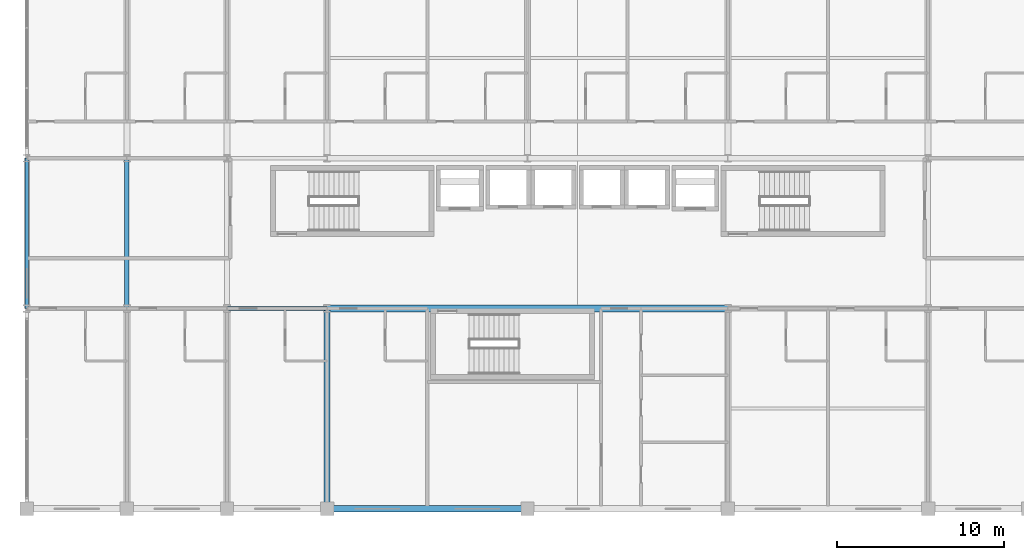
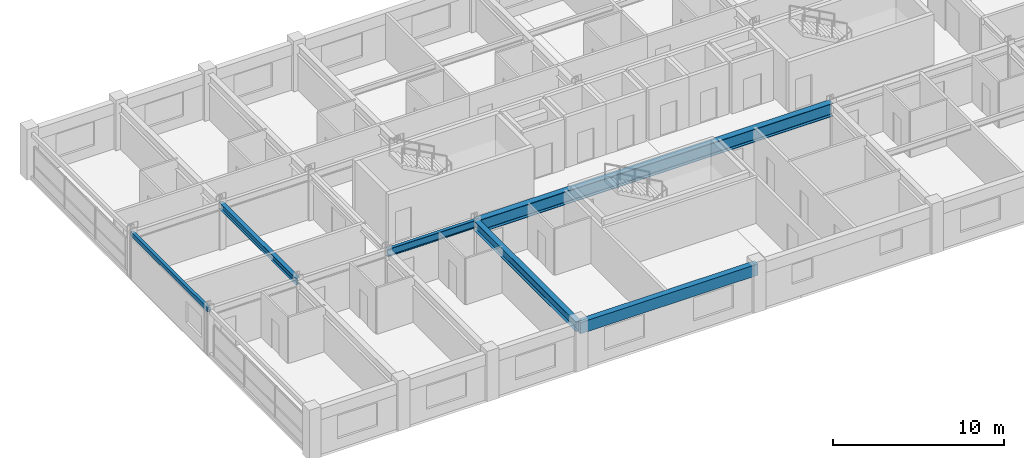
# One storey, part 5 of 26: 6 beams.
"""IFC4 building model written with IfcOpenShell, lengths in metres."""

import ifcopenshell
import ifcopenshell.guid

model = None  # the IFC model being written
_history = None  # IfcOwnerHistory: only IFC2X3 demands one
_inside = {}  # id of a spatial element -> (the spatial element, [elements in it])
_under = {}  # id of a project, library or spatial element -> (it, [spatial elements below it])
_declared = {}  # id of a project -> (the project, [libraries it declares])
_typed = {}  # id of a type object -> (the type object, [elements of that type])
_made_of = {}  # id of a material, layer set ... -> (it, [elements and type objects made of it])


def new_model(schema):
    """Start an empty IFC model of exactly this schema.

    Asked for "IFC4X3", IfcOpenShell would pick the latest addendum, in which some entities
    have other attributes; the version numbers below select the first issue.
    IFC2X3 requires an IfcOwnerHistory on every rooted entity: one is made here for all.
    """
    global model, _history
    if schema == "IFC4X3":
        model = ifcopenshell.file(schema_version=(4, 3, 0, 0))
    else:
        model = ifcopenshell.file(schema=schema)
    _inside.clear()
    _under.clear()
    _declared.clear()
    _typed.clear()
    _made_of.clear()
    _history = None
    if model.schema == "IFC2X3":
        org = make("IfcOrganization", Name="unknown")
        user = make(
            "IfcPersonAndOrganization",
            ThePerson=make("IfcPerson", FamilyName="unknown"),
            TheOrganization=org,
        )
        app = make(
            "IfcApplication",
            ApplicationDeveloper=org,
            Version="unknown",
            ApplicationFullName="unknown",
            ApplicationIdentifier="unknown",
        )
        _history = make(
            "IfcOwnerHistory",
            OwningUser=user,
            OwningApplication=app,
            ChangeAction="ADDED",
            CreationDate=0,
        )
    return model


def make(cls, **values):
    """One entity of the class cls with the attributes given. An attribute that is None is left unset."""
    return model.create_entity(
        cls, **{name: value for name, value in values.items() if value is not None}
    )


def rooted(cls, **values):
    """An entity with a GlobalId (a new one), such as an element, a storey or a relation."""
    return make(cls, GlobalId=ifcopenshell.guid.new(), OwnerHistory=_history, **values)


def si_unit(unit_type, name, prefix=None):
    """IfcSIUnit, for example si_unit("LENGTHUNIT", "METRE", prefix="MILLI")."""
    return make("IfcSIUnit", UnitType=unit_type, Prefix=prefix, Name=name)


def assignment(units):
    """IfcUnitAssignment: the units of a project."""
    return None if units is None else make("IfcUnitAssignment", Units=units)


def point(xyz):
    """IfcCartesianPoint."""
    return None if xyz is None else make("IfcCartesianPoint", Coordinates=xyz)


def direction(xyz):
    """IfcDirection."""
    return None if xyz is None else make("IfcDirection", DirectionRatios=xyz)


def frame(location, z_axis=None, x_axis=None):
    """IfcAxis2Placement3D, a coordinate frame: its origin and axes. An axis left out is left unset."""
    return make(
        "IfcAxis2Placement3D",
        Location=point(location),
        Axis=direction(z_axis),
        RefDirection=direction(x_axis),
    )


def frame_2d(location, x_axis=None):
    """IfcAxis2Placement2D, a coordinate frame in the plane: its origin and x axis."""
    return make(
        "IfcAxis2Placement2D", Location=point(location), RefDirection=direction(x_axis)
    )


def origin():
    """The frame at (0, 0, 0) with its axes left unset."""
    return frame((0.0, 0.0, 0.0))


def origin_2d():
    """The frame at (0, 0) in the plane with its x axis left unset."""
    return frame_2d((0.0, 0.0))


def place(relative_to, where):
    """IfcLocalPlacement: puts the frame where relative to a parent placement (None: the world)."""
    return make(
        "IfcLocalPlacement", PlacementRelTo=relative_to, RelativePlacement=where
    )


def context(
    kind, dimensions, precision=None, world=None, true_north=None, identifier=None
):
    """IfcGeometricRepresentationContext, for example the 3D "Model" context."""
    return make(
        "IfcGeometricRepresentationContext",
        ContextIdentifier=identifier,
        ContextType=kind,
        CoordinateSpaceDimension=dimensions,
        Precision=precision,
        WorldCoordinateSystem=world,
        TrueNorth=true_north,
    )


def subcontext(parent, identifier, kind, view, scale=None):
    """IfcGeometricRepresentationSubContext, for example "Body" below "Model"."""
    return make(
        "IfcGeometricRepresentationSubContext",
        ContextIdentifier=identifier,
        ContextType=kind,
        ParentContext=parent,
        TargetScale=scale,
        TargetView=view,
    )


def project(units=None, contexts=None):
    """IfcProject with its units and contexts."""
    return rooted(
        "IfcProject",
        Name="project",
        RepresentationContexts=contexts,
        UnitsInContext=assignment(units),
    )


def spatial(cls, under=None, at=None, **own):
    """A site, building, storey or space (cls), placed at a placement, below another one or the project."""
    s = rooted(cls, ObjectPlacement=at, **own)
    if under is not None:
        _under.setdefault(under.id(), (under, []))[1].append(s)
    return s


def profile(cls, at=None, kind="AREA", **sizes):
    """A parametric profile (cls). Its sizes go by their IFC names, for example OverallWidth=200.0."""
    return make(cls, ProfileType=kind, Position=at, **sizes)


def rectangle(**sizes):
    """IfcRectangleProfileDef."""
    return profile("IfcRectangleProfileDef", **sizes)


def hollow_rectangle(**sizes):
    """IfcRectangleHollowProfileDef."""
    return profile("IfcRectangleHollowProfileDef", **sizes)


def i_section(**sizes):
    """IfcIShapeProfileDef."""
    return profile("IfcIShapeProfileDef", **sizes)


def extrude(swept, where, along, depth):
    """IfcExtrudedAreaSolid: the profile swept, set in the frame where, extruded along a direction by depth."""
    return make(
        "IfcExtrudedAreaSolid",
        SweptArea=swept,
        Position=where,
        ExtrudedDirection=direction(along),
        Depth=depth,
    )


def shape(context_of_items, identifier, shape_type, items):
    """IfcShapeRepresentation: the items that make up one representation, for example the "Body"."""
    return make(
        "IfcShapeRepresentation",
        ContextOfItems=context_of_items,
        RepresentationIdentifier=identifier,
        RepresentationType=shape_type,
        Items=items,
    )


def material(Name=None, Category=None):
    """IfcMaterial."""
    return make("IfcMaterial", Name=Name, Category=Category)


def material_profile(
    of_material, cross_section, Name=None, Category=None, Priority=None
):
    """IfcMaterialProfile: a cross section and its material."""
    return make(
        "IfcMaterialProfile",
        Name=Name,
        Material=of_material,
        Profile=cross_section,
        Priority=Priority,
        Category=Category,
    )


def profile_set(profiles, Name=None, composite=None):
    """IfcMaterialProfileSet."""
    return make(
        "IfcMaterialProfileSet",
        Name=Name,
        MaterialProfiles=profiles,
        CompositeProfile=composite,
    )


def made_of(thing, what):
    """Note that an element or type object is made of a material, layer set ...; save() writes the relation."""
    if what is not None:
        _made_of.setdefault(what.id(), (what, []))[1].append(thing)
    return thing


def type_object(cls, material=None, **own):
    """A type object (cls), such as IfcWallType, which elements share."""
    return made_of(rooted(cls, **own), material)


def element(
    cls,
    number,
    at=None,
    inside=None,
    cuts=None,
    type_object=None,
    material=None,
    context=None,
    identifier="Body",
    shape_type=None,
    held_by="IfcProductDefinitionShape",
    body=None,
    shapes=None,
    **own,
):
    """One element of the class cls, such as IfcWall. Its Tag is "e" and its number.

    at: its placement. inside: the storey or other place that contains it. cuts: it is an
    opening in that element (IfcRelVoidsElement). A single representation is given by context,
    identifier, shape_type and body (its items); several are given by shapes. held_by: the class
    of the entity that holds the representations. save() writes the other relations.
    """
    e = rooted(cls, Tag="e%d" % number, ObjectPlacement=at, **own)
    if body is not None:
        shapes = [shape(context, identifier, shape_type, body)]
    if shapes is not None:
        e.Representation = make(held_by, Representations=shapes)
    if inside is not None:
        _inside.setdefault(inside.id(), (inside, []))[1].append(e)
    if cuts is not None:
        rooted(
            "IfcRelVoidsElement", RelatingBuildingElement=cuts, RelatedOpeningElement=e
        )
    if type_object is not None:
        _typed.setdefault(type_object.id(), (type_object, []))[1].append(e)
    return made_of(e, material)


def aggregate(whole, parts):
    """IfcRelAggregates: a whole, such as a stair, and the parts it consists of."""
    return rooted("IfcRelAggregates", RelatingObject=whole, RelatedObjects=parts)


def save(model, path):
    """Write the relations noted so far, then the file.

    IfcRelAggregates (storeys below a building ...), IfcRelContainedInSpatialStructure (elements
    in a storey), IfcRelDefinesByType, IfcRelAssociatesMaterial and IfcRelDeclares: one each for
    every whole, place, type object, material and project.
    """
    for whole, parts in _under.values():
        aggregate(whole, parts)
    for where, things in _inside.values():
        rooted(
            "IfcRelContainedInSpatialStructure",
            RelatedElements=things,
            RelatingStructure=where,
        )
    for kind, things in _typed.values():
        rooted("IfcRelDefinesByType", RelatedObjects=things, RelatingType=kind)
    for what, things in _made_of.values():
        rooted("IfcRelAssociatesMaterial", RelatedObjects=things, RelatingMaterial=what)
    for by, libraries in _declared.values():
        rooted("IfcRelDeclares", RelatingContext=by, RelatedDefinitions=libraries)
    model.write(path)


model = new_model("IFC4")

# Units and contexts
model_context = context("Model", 3, precision=1e-05, world=origin(), true_north=direction((0.0, 1.0)))
body_context = subcontext(model_context, "Body", "Model", "MODEL_VIEW")
ifc_project = project(units=[si_unit("LENGTHUNIT", "METRE"), si_unit("AREAUNIT", "SQUARE_METRE"), si_unit("VOLUMEUNIT", "CUBIC_METRE"), si_unit("PLANEANGLEUNIT", "RADIAN"), si_unit("MASSUNIT", "GRAM", prefix="KILO")], contexts=[model_context])

# Site, building, storey
site_placement = place(None, origin())
site = spatial("IfcSite", under=ifc_project, at=site_placement, CompositionType="ELEMENT")
building_placement = place(site_placement, origin())
building = spatial("IfcBuilding", under=site, at=building_placement, Name="Kaldorvane Square Convention Centre", CompositionType="ELEMENT")
storey_placement = place(building_placement, frame((0.0, 0.0, 45.600006103515625)))
storey = spatial("IfcBuildingStorey", under=building, at=storey_placement, Name="L10", CompositionType="ELEMENT", Elevation=45.600006103515625)

# Beams
ifc_material_1 = material(Name="Steel ASTM A992 Gr. 50", Category="steel")
ifc_material_profile_1 = material_profile(ifc_material_1, i_section(OverallWidth=0.213897705078125, OverallDepth=0.549102783203125, WebThickness=0.0146942138671875, FlangeThickness=0.0236053466796875, FilletRadius=0.0126953125, at=origin_2d()), Name="W21X93")
ifc_profile_set_1 = profile_set([ifc_material_profile_1], Name="Steel ASTM A992 Gr. 50")
beam_type_1 = type_object("IfcBeamType", Name="BM-GR-W21X93", PredefinedType="BEAM", material=ifc_profile_set_1)
beam_1_placement = place(storey_placement, frame((36.0, 96.0, 3.0114898681640625), z_axis=(1.0, 0.0, 0.0), x_axis=(0.0, 1.0, 0.0)))
element("IfcBeam", 1, at=beam_1_placement, inside=storey, type_object=beam_type_1, Name="Primary Girder (L10)", PredefinedType="BEAM", context=body_context, shape_type="SweptSolid", body=[
    extrude(i_section(OverallWidth=0.213897705078125, OverallDepth=0.549102783203125, WebThickness=0.0146942138671875, FlangeThickness=0.0236053466796875, FilletRadius=0.0126953125, at=origin_2d()), origin(), (0.0, 0.0, 1.0), 6.0),
])
ifc_material_profile_2 = material_profile(ifc_material_1, i_section(OverallWidth=0.354705810546875, OverallDepth=0.69549560546875, WebThickness=0.0153961181640625, FlangeThickness=0.0251007080078125, FilletRadius=0.01519775390625, at=origin_2d()), Name="W27X146")
ifc_profile_set_2 = profile_set([ifc_material_profile_2], Name="Steel ASTM A992 Gr. 50")
beam_type_2 = type_object("IfcBeamType", Name="BM-GR-W27X146", PredefinedType="BEAM", material=ifc_profile_set_2)
beam_2_placement = place(storey_placement, frame((42.0, 84.0, 2.93829345703125), z_axis=(0.0, 1.0, 0.0), x_axis=(-1.0, 0.0, 0.0)))
element("IfcBeam", 2, at=beam_2_placement, inside=storey, type_object=beam_type_2, Name="Transverse Girder (L10)", PredefinedType="BEAM", context=body_context, shape_type="SweptSolid", body=[
    extrude(i_section(OverallWidth=0.354705810546875, OverallDepth=0.69549560546875, WebThickness=0.0153961181640625, FlangeThickness=0.0251007080078125, FilletRadius=0.01519775390625, at=origin_2d()), origin(), (0.0, 0.0, 1.0), 12.0),
])
ifc_material_profile_3 = material_profile(ifc_material_1, i_section(OverallWidth=0.418304443359375, OverallDepth=0.926605224609375, WebThickness=0.0193023681640625, FlangeThickness=0.0319976806640625, FilletRadius=0.0240936279296875, at=origin_2d()), Name="W36X231")
ifc_profile_set_3 = profile_set([ifc_material_profile_3], Name="Steel ASTM A992 Gr. 50")
beam_type_3 = type_object("IfcBeamType", Name="BM-GR-W36X231", PredefinedType="BEAM", material=ifc_profile_set_3)
beam_3_placement = place(storey_placement, frame((42.0, 96.0, 2.82269287109375), z_axis=(1.0, 0.0, 0.0), x_axis=(0.0, 1.0, 0.0)))
element("IfcBeam", 3, at=beam_3_placement, inside=storey, type_object=beam_type_3, Name="Primary Girder (L10)", PredefinedType="BEAM", context=body_context, shape_type="SweptSolid", body=[
    extrude(i_section(OverallWidth=0.418304443359375, OverallDepth=0.926605224609375, WebThickness=0.0193023681640625, FlangeThickness=0.0319976806640625, FilletRadius=0.0240936279296875, at=origin_2d()), origin(), (0.0, 0.0, 1.0), 24.0),
])
ifc_material_profile_4 = material_profile(ifc_material_1, i_section(OverallWidth=0.2799072265625, OverallDepth=0.462799072265625, WebThickness=0.01080322265625, FlangeThickness=0.017303466796875, FilletRadius=0.01019287109375, at=origin_2d()), Name="W18X76")
ifc_profile_set_4 = profile_set([ifc_material_profile_4], Name="Steel ASTM A992 Gr. 50")
beam_type_4 = type_object("IfcBeamType", Name="BM-JS-W18X76", PredefinedType="JOIST", material=ifc_profile_set_4)
beam_4_placement = place(storey_placement, frame((30.0, 96.0, 3.054595947265625), z_axis=(0.0, 1.0, 0.0), x_axis=(-1.0, 0.0, 0.0)))
element("IfcBeam", 4, at=beam_4_placement, inside=storey, type_object=beam_type_4, Name="Transverse Girder (L10)", PredefinedType="JOIST", context=body_context, shape_type="SweptSolid", body=[
    extrude(i_section(OverallWidth=0.2799072265625, OverallDepth=0.462799072265625, WebThickness=0.01080322265625, FlangeThickness=0.017303466796875, FilletRadius=0.01019287109375, at=origin_2d()), origin(), (0.0, 0.0, 1.0), 9.0),
])
ifc_material_2 = material(Name="Steel ASTM A500 Gr. C", Category="steel")
ifc_material_profile_5 = material_profile(ifc_material_2, hollow_rectangle(XDim=0.2032012939453125, YDim=0.3047943115234375, WallThickness=0.0088958740234375, at=origin_2d()), Name="HSS12X8X3/8")
ifc_profile_set_5 = profile_set([ifc_material_profile_5], Name="Steel ASTM A500 Gr. C")
beam_type_5 = type_object("IfcBeamType", Name="BM-SP-HSS12", PredefinedType="SPANDREL", material=ifc_profile_set_5)
beam_5_placement = place(storey_placement, frame((24.0, 96.0, 3.1335906982421875), z_axis=(0.0, 1.0, 0.0), x_axis=(-1.0, 0.0, 0.0)))
element("IfcBeam", 5, at=beam_5_placement, inside=storey, type_object=beam_type_5, Name="End Spandrel (L10)", PredefinedType="SPANDREL", context=body_context, shape_type="SweptSolid", body=[
    extrude(hollow_rectangle(XDim=0.2032012939453125, YDim=0.3047943115234375, WallThickness=0.0088958740234375, at=origin_2d()), origin(), (0.0, 0.0, 1.0), 9.0),
])
ifc_material_3 = material(Name="Concrete f'c = 42 MPa (Normalweight)", Category="concrete")
ifc_material_profile_6 = material_profile(ifc_material_3, rectangle(XDim=0.399993896484375, YDim=0.8000030517578125, at=origin_2d()), Name="RCSP800X400")
ifc_profile_set_6 = profile_set([ifc_material_profile_6], Name="Concrete f'c = 42 MPa (Normalweight)")
beam_type_6 = type_object("IfcBeamType", Name="BM-SP-RC800", PredefinedType="SPANDREL", material=ifc_profile_set_6)
beam_6_placement = place(storey_placement, frame((42.0, 84.0, 2.885986328125), z_axis=(1.0, 0.0, 0.0), x_axis=(0.0, 1.0, 0.0)))
element("IfcBeam", 6, at=beam_6_placement, inside=storey, type_object=beam_type_6, Name="Perimeter Spandrel (L10)", PredefinedType="SPANDREL", context=body_context, shape_type="SweptSolid", body=[
    extrude(rectangle(XDim=0.399993896484375, YDim=0.8000030517578125, at=origin_2d()), origin(), (0.0, 0.0, 1.0), 12.0),
])

save(model, "model.ifc")
